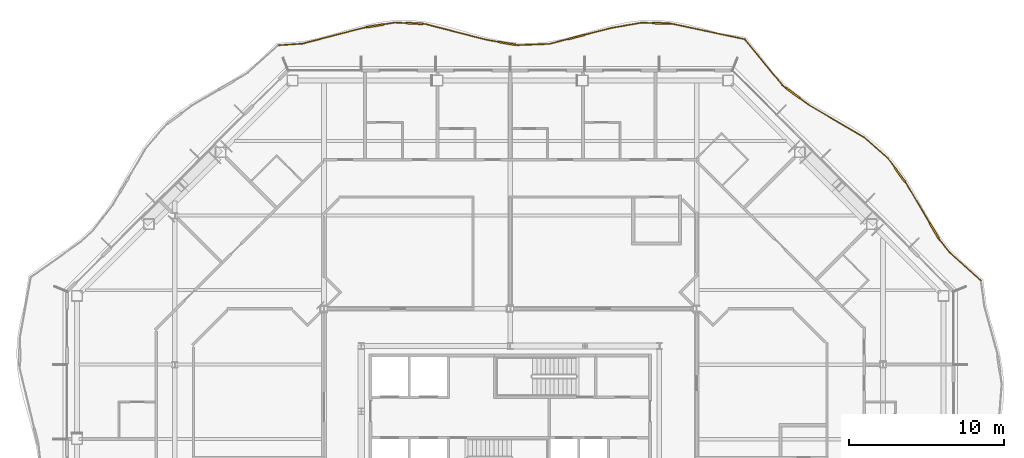
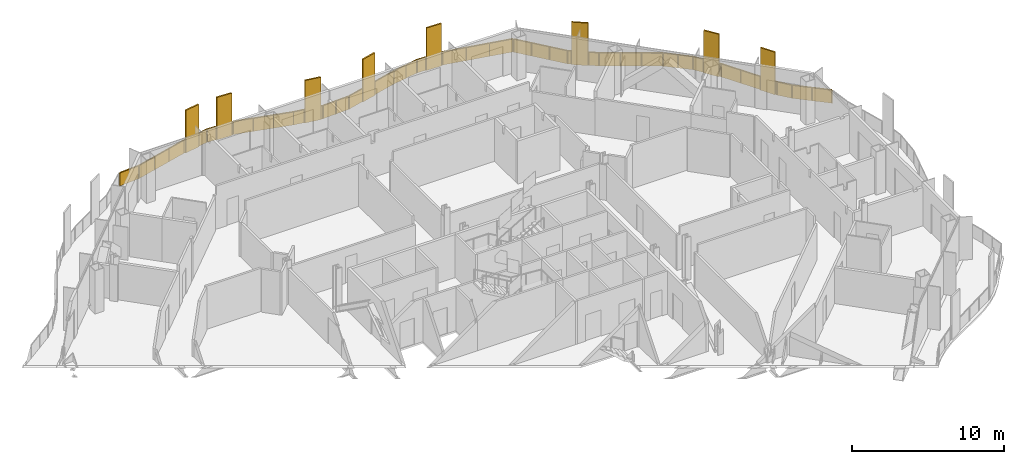
# One storey, part 21 of 21: 2 railings.
"""IFC4 building model written with IfcOpenShell, lengths in metres."""

from ifc_helpers import new_model, si_unit, direction, frame, origin, origin_2d, place, context, subcontext, project, spatial, polyline, rectangle, outline, extrude, material, type_object, element, save


model = new_model("IFC4")

# Units and contexts
model_context = context("Model", 3, precision=1e-05, world=origin(), true_north=direction((0.0, 1.0)))
body_context = subcontext(model_context, "Body", "Model", "MODEL_VIEW")
ifc_project = project(units=[si_unit("LENGTHUNIT", "METRE"), si_unit("AREAUNIT", "SQUARE_METRE"), si_unit("VOLUMEUNIT", "CUBIC_METRE"), si_unit("PLANEANGLEUNIT", "RADIAN"), si_unit("MASSUNIT", "GRAM", prefix="KILO")], contexts=[model_context])

# Site, building, storey
site_placement = place(None, origin())
site = spatial("IfcSite", under=ifc_project, at=site_placement, CompositionType="ELEMENT")
building_placement = place(site_placement, origin())
building = spatial("IfcBuilding", under=site, at=building_placement, Name="Cairn Pilgrim Tower", CompositionType="ELEMENT")
storey_placement = place(building_placement, frame((0.0, 0.0, 143.39990234375)))
storey = spatial("IfcBuildingStorey", under=building, at=storey_placement, Name="L35", CompositionType="ELEMENT", Elevation=143.39990234375)

# Railings
ifc_material = material(Name="Bronze anodised aluminium rail, posts and fin screens with laminated glass infill", Category="aluminium")
railing_type = type_object("IfcRailingType", Name="BALCONY GUARD WITH FIN SCREENS", PredefinedType="GUARDRAIL", material=ifc_material)
railing_1_placement = place(storey_placement, frame((37.5078125, 15.009033203125, 0.0)))
element("IfcRailing", 1, at=railing_1_placement, inside=storey, type_object=railing_type, Name="Balcony guard BGF-4 with fin screens", PredefinedType="GUARDRAIL", context=body_context, shape_type="SweptSolid", body=[
    extrude(rectangle(XDim=0.050048828125, YDim=0.050048828125, at=origin_2d()), frame((0.0, 0.0, 1.0751953125), z_axis=(-0.742573278127, 0.669764829333, 0.0), x_axis=(-0.669764829333, -0.742573278127, 0.0)), (0.0, 0.0, 1.0), 2.67919921875),
    extrude(rectangle(XDim=0.050048828125, YDim=0.050048828125, at=origin_2d()), frame((-1.989501953125, 1.79443359375, 1.0751953125), z_axis=(-0.631470426206, 0.775399961843, 0.0), x_axis=(-0.775399961843, -0.631470426206, 0.0)), (0.0, 0.0, 1.0), 1.046630859375),
    extrude(rectangle(XDim=1.10009765625, YDim=0.110107421875, at=origin_2d()), frame((-3.005859375, 3.208984375, 0.0), z_axis=(0.0, 0.0, 1.0), x_axis=(-0.507932070503, 0.861397127784, 0.0)), (0.0, 0.0, 1.0), 3.39990234375),
    extrude(rectangle(XDim=0.050048828125, YDim=0.050048828125, at=origin_2d()), frame((-2.650390625, 2.60595703125, 1.0751953125), z_axis=(-0.507932070503, 0.861397127784, 0.0), x_axis=(-0.861397127784, -0.507932070503, 0.0)), (0.0, 0.0, 1.0), 0.14990234375),
    extrude(rectangle(XDim=0.050048828125, YDim=0.050048828125, at=origin_2d()), frame((-3.285400390625, 3.6826171875, 1.0751953125), z_axis=(-0.507932070503, 0.861397127784, 0.0), x_axis=(-0.861397127784, -0.507932070503, 0.0)), (0.0, 0.0, 1.0), 2.96044921875),
    extrude(rectangle(XDim=1.10009765625, YDim=0.110107421875, at=origin_2d()), frame((-5.20068359375, 6.79931640625, 0.0), z_axis=(0.0, 0.0, 1.0), x_axis=(-0.587858294843, 0.808963920817, 0.0)), (0.0, 0.0, 1.0), 3.39990234375),
    extrude(rectangle(XDim=0.050048828125, YDim=0.050048828125, at=origin_2d()), frame((-4.7890625, 6.23291015625, 1.0751953125), z_axis=(-0.587858294843, 0.808963920817, 0.0), x_axis=(-0.808963920817, -0.587858294843, 0.0)), (0.0, 0.0, 1.0), 0.150146484375),
    extrude(rectangle(XDim=0.050048828125, YDim=0.050048828125, at=origin_2d()), frame((-5.52392578125, 7.244140625, 1.0751953125), z_axis=(-0.587858294843, 0.808963920817, 0.0), x_axis=(-0.808963920817, -0.587858294843, 0.0)), (0.0, 0.0, 1.0), 0.788330078125),
    extrude(rectangle(XDim=0.050048828125, YDim=0.050048828125, at=origin_2d()), frame((-5.9873046875, 7.8818359375, 1.0751953125), z_axis=(-0.748929293895, 0.662649917185, 0.0), x_axis=(-0.662649917185, -0.748929293895, 0.0)), (0.0, 0.0, 1.0), 2.009033203125),
    extrude(rectangle(XDim=0.050048828125, YDim=0.050048828125, at=origin_2d()), frame((-7.491943359375, 9.213134765625, 1.0751953125), z_axis=(-0.862706708707, 0.505704592378, 0.0), x_axis=(-0.505704592378, -0.862706708707, 0.0)), (0.0, 0.0, 1.0), 4.203125),
    extrude(rectangle(XDim=1.10009765625, YDim=0.110107421875, at=origin_2d()), frame((-12.1171875, 12.0859375, 0.0), z_axis=(0.0, 0.0, 1.0), x_axis=(-0.800870533458, 0.598837531087, 0.0)), (0.0, 0.0, 1.0), 3.39990234375),
    extrude(rectangle(XDim=0.050048828125, YDim=0.050048828125, at=origin_2d()), frame((-11.117919921875, 11.338623046875, 1.0751953125), z_axis=(-0.800870533458, 0.598837531087, 0.0), x_axis=(-0.598837531087, -0.800870533458, 0.0)), (0.0, 0.0, 1.0), 0.69775390625),
    extrude(rectangle(XDim=0.050048828125, YDim=0.050048828125, at=origin_2d()), frame((-12.5576171875, 12.415283203125, 1.0751953125), z_axis=(-0.800870533458, 0.598837531087, 0.0), x_axis=(-0.598837531087, -0.800870533458, 0.0)), (0.0, 0.0, 1.0), 0.286865234375),
    extrude(rectangle(XDim=0.050048828125, YDim=0.050048828125, at=origin_2d()), frame((-12.787353515625, 12.5869140625, 1.0751953125), z_axis=(-0.6329833694, 0.774165391931, 0.0), x_axis=(-0.774165391931, -0.6329833694, 0.0)), (0.0, 0.0, 1.0), 3.762939453125),
    extrude(rectangle(XDim=0.050048828125, YDim=0.050048828125, at=origin_2d()), origin(), (0.0, 0.0, 1.0), 1.050048828125),
    extrude(rectangle(XDim=0.050048828125, YDim=0.050048828125, at=origin_2d()), frame((-0.99462890625, 0.897216796875, 0.0)), (0.0, 0.0, 1.0), 1.050048828125),
    extrude(rectangle(XDim=0.050048828125, YDim=0.050048828125, at=origin_2d()), frame((-1.989501953125, 1.79443359375, 0.0)), (0.0, 0.0, 1.0), 1.050048828125),
    extrude(rectangle(XDim=0.050048828125, YDim=0.050048828125, at=origin_2d()), frame((-2.650390625, 2.60595703125, 0.0)), (0.0, 0.0, 1.0), 1.050048828125),
    extrude(rectangle(XDim=0.050048828125, YDim=0.050048828125, at=origin_2d()), frame((-2.7138671875, 2.713623046875, 0.0)), (0.0, 0.0, 1.0), 1.050048828125),
    extrude(rectangle(XDim=0.050048828125, YDim=0.050048828125, at=origin_2d()), frame((-3.298095703125, 3.704345703125, 0.0)), (0.0, 0.0, 1.0), 1.050048828125),
    extrude(rectangle(XDim=0.050048828125, YDim=0.050048828125, at=origin_2d()), frame((-4.04345703125, 4.968505859375, 0.0)), (0.0, 0.0, 1.0), 1.050048828125),
    extrude(rectangle(XDim=0.050048828125, YDim=0.050048828125, at=origin_2d()), frame((-4.7890625, 6.23291015625, 0.0)), (0.0, 0.0, 1.0), 1.050048828125),
    extrude(rectangle(XDim=0.050048828125, YDim=0.050048828125, at=origin_2d()), frame((-4.862548828125, 6.333984375, 0.0)), (0.0, 0.0, 1.0), 1.050048828125),
    extrude(rectangle(XDim=0.050048828125, YDim=0.050048828125, at=origin_2d()), frame((-5.53857421875, 7.264404296875, 0.0)), (0.0, 0.0, 1.0), 1.050048828125),
    extrude(rectangle(XDim=0.050048828125, YDim=0.050048828125, at=origin_2d()), frame((-5.9873046875, 7.8818359375, 0.0)), (0.0, 0.0, 1.0), 1.050048828125),
    extrude(rectangle(XDim=0.050048828125, YDim=0.050048828125, at=origin_2d()), frame((-6.73974609375, 8.54736328125, 0.0)), (0.0, 0.0, 1.0), 1.050048828125),
    extrude(rectangle(XDim=0.050048828125, YDim=0.050048828125, at=origin_2d()), frame((-7.491943359375, 9.213134765625, 0.0)), (0.0, 0.0, 1.0), 1.050048828125),
    extrude(rectangle(XDim=0.050048828125, YDim=0.050048828125, at=origin_2d()), frame((-8.70068359375, 9.921630859375, 0.0)), (0.0, 0.0, 1.0), 1.050048828125),
    extrude(rectangle(XDim=0.050048828125, YDim=0.050048828125, at=origin_2d()), frame((-9.9091796875, 10.630126953125, 0.0)), (0.0, 0.0, 1.0), 1.050048828125),
    extrude(rectangle(XDim=0.050048828125, YDim=0.050048828125, at=origin_2d()), frame((-11.117919921875, 11.338623046875, 0.0)), (0.0, 0.0, 1.0), 1.050048828125),
    extrude(rectangle(XDim=0.050048828125, YDim=0.050048828125, at=origin_2d()), frame((-11.65673828125, 11.741455078125, 0.0)), (0.0, 0.0, 1.0), 1.050048828125),
    extrude(rectangle(XDim=0.050048828125, YDim=0.050048828125, at=origin_2d()), frame((-12.57763671875, 12.43017578125, 0.0)), (0.0, 0.0, 1.0), 1.050048828125),
    extrude(rectangle(XDim=0.050048828125, YDim=0.050048828125, at=origin_2d()), frame((-12.787353515625, 12.5869140625, 0.0)), (0.0, 0.0, 1.0), 1.050048828125),
    extrude(rectangle(XDim=0.050048828125, YDim=0.050048828125, at=origin_2d()), frame((-13.581298828125, 13.557861328125, 0.0)), (0.0, 0.0, 1.0), 1.050048828125),
    extrude(rectangle(XDim=0.050048828125, YDim=0.050048828125, at=origin_2d()), frame((-14.375244140625, 14.529052734375, 0.0)), (0.0, 0.0, 1.0), 1.050048828125),
    extrude(rectangle(XDim=0.050048828125, YDim=0.050048828125, at=origin_2d()), frame((-15.169189453125, 15.5, 0.0)), (0.0, 0.0, 1.0), 1.050048828125),
    extrude(outline(polyline([(0.02490234375, 0.0), (1.314697265625, 0.0), (1.314697265625, 1.050048828125), (0.02490234375, 1.050048828125), (0.02490234375, 0.0)])), frame((-0.00390625, -0.00439453125, 0.0), z_axis=(0.669764829333, 0.742573278127, 0.0), x_axis=(-0.742573278127, 0.669764829333, 0.0)), (0.0, 0.0, 1.0), 0.011962890625),
    extrude(outline(polyline([(0.02490234375, 0.0), (1.314697265625, 0.0), (1.314697265625, 1.050048828125), (0.02490234375, 1.050048828125), (0.02490234375, 0.0)])), frame((-0.998779296875, 0.892822265625, 0.0), z_axis=(0.669764829333, 0.742573278127, 0.0), x_axis=(-0.742573278127, 0.669764829333, 0.0)), (0.0, 0.0, 1.0), 0.011962890625),
    extrude(outline(polyline([(0.02490234375, 0.0), (1.021484375, 0.0), (1.021484375, 1.050048828125), (0.02490234375, 1.050048828125), (0.02490234375, 0.0)])), frame((-1.994140625, 1.790771484375, 0.0), z_axis=(0.775399961843, 0.631470426206, 0.0), x_axis=(-0.631470426206, 0.775399961843, 0.0)), (0.0, 0.0, 1.0), 0.011962890625),
    extrude(outline(polyline([(0.02490234375, 0.0), (0.099853515625, 0.0), (0.099853515625, 1.050048828125), (0.02490234375, 1.050048828125), (0.02490234375, 0.0)])), frame((-2.655517578125, 2.60302734375, 0.0), z_axis=(0.861397127784, 0.507932070503, 0.0), x_axis=(-0.507932070503, 0.861397127784, 0.0)), (0.0, 0.0, 1.0), 0.011962890625),
    extrude(outline(polyline([(0.02490234375, 0.0), (1.442626953125, 0.0), (1.442626953125, 1.050048828125), (0.02490234375, 1.050048828125), (0.02490234375, 0.0)])), frame((-3.30322265625, 3.701171875, 0.0), z_axis=(0.861397127784, 0.507932070503, 0.0), x_axis=(-0.507932070503, 0.861397127784, 0.0)), (0.0, 0.0, 1.0), 0.011962890625),
    extrude(outline(polyline([(0.02490234375, 0.0), (1.442626953125, 0.0), (1.442626953125, 1.050048828125), (0.02490234375, 1.050048828125), (0.02490234375, 0.0)])), frame((-4.048583984375, 4.965576171875, 0.0), z_axis=(0.861397127784, 0.507932070503, 0.0), x_axis=(-0.507932070503, 0.861397127784, 0.0)), (0.0, 0.0, 1.0), 0.011962890625),
    extrude(outline(polyline([(0.02490234375, 0.0), (0.10009765625, 0.0), (0.10009765625, 1.050048828125), (0.02490234375, 1.050048828125), (0.02490234375, 0.0)])), frame((-4.7939453125, 6.2294921875, 0.0), z_axis=(0.808963920817, 0.587858294843, 0.0), x_axis=(-0.587858294843, 0.808963920817, 0.0)), (0.0, 0.0, 1.0), 0.011962890625),
    extrude(outline(polyline([(0.02490234375, 0.0), (0.73828125, 0.0), (0.73828125, 1.050048828125), (0.02490234375, 1.050048828125), (0.02490234375, 0.0)])), frame((-5.54345703125, 7.260986328125, 0.0), z_axis=(0.808963920817, 0.587858294843, 0.0), x_axis=(-0.587858294843, 0.808963920817, 0.0)), (0.0, 0.0, 1.0), 0.011962890625),
    extrude(outline(polyline([(0.02490234375, 0.0), (0.9794921875, 0.0), (0.9794921875, 1.050048828125), (0.02490234375, 1.050048828125), (0.02490234375, 0.0)])), frame((-5.9912109375, 7.87744140625, 0.0), z_axis=(0.662649917185, 0.748929293895, 0.0), x_axis=(-0.748929293895, 0.662649917185, 0.0)), (0.0, 0.0, 1.0), 0.011962890625),
    extrude(outline(polyline([(0.02490234375, 0.0), (0.9794921875, 0.0), (0.9794921875, 1.050048828125), (0.02490234375, 1.050048828125), (0.02490234375, 0.0)])), frame((-6.74365234375, 8.54296875, 0.0), z_axis=(0.662649917185, 0.748929293895, 0.0), x_axis=(-0.748929293895, 0.662649917185, 0.0)), (0.0, 0.0, 1.0), 0.011962890625),
    extrude(outline(polyline([(0.02490234375, 0.0), (1.3759765625, 0.0), (1.3759765625, 1.050048828125), (0.02490234375, 1.050048828125), (0.02490234375, 0.0)])), frame((-7.494873046875, 9.2080078125, 0.0), z_axis=(0.505704592378, 0.862706708707, 0.0), x_axis=(-0.862706708707, 0.505704592378, 0.0)), (0.0, 0.0, 1.0), 0.011962890625),
    extrude(outline(polyline([(0.02490234375, 0.0), (1.3759765625, 0.0), (1.3759765625, 1.050048828125), (0.02490234375, 1.050048828125), (0.02490234375, 0.0)])), frame((-8.70361328125, 9.91650390625, 0.0), z_axis=(0.505704592378, 0.862706708707, 0.0), x_axis=(-0.862706708707, 0.505704592378, 0.0)), (0.0, 0.0, 1.0), 0.011962890625),
    extrude(outline(polyline([(0.02490234375, 0.0), (1.3759765625, 0.0), (1.3759765625, 1.050048828125), (0.02490234375, 1.050048828125), (0.02490234375, 0.0)])), frame((-9.912353515625, 10.625, 0.0), z_axis=(0.505704592378, 0.862706708707, 0.0), x_axis=(-0.862706708707, 0.505704592378, 0.0)), (0.0, 0.0, 1.0), 0.011962890625),
    extrude(outline(polyline([(0.02490234375, 0.0), (0.647705078125, 0.0), (0.647705078125, 1.050048828125), (0.02490234375, 1.050048828125), (0.02490234375, 0.0)])), frame((-11.12158203125, 11.333740234375, 0.0), z_axis=(0.598837531087, 0.800870533458, 0.0), x_axis=(-0.800870533458, 0.598837531087, 0.0)), (0.0, 0.0, 1.0), 0.011962890625),
    extrude(outline(polyline([(0.02490234375, 0.0), (0.23681640625, 0.0), (0.23681640625, 1.050048828125), (0.02490234375, 1.050048828125), (0.02490234375, 0.0)])), frame((-12.581298828125, 12.42529296875, 0.0), z_axis=(0.598837531087, 0.800870533458, 0.0), x_axis=(-0.800870533458, 0.598837531087, 0.0)), (0.0, 0.0, 1.0), 0.011962890625),
    extrude(outline(polyline([(0.02490234375, 0.0), (1.229248046875, 0.0), (1.229248046875, 1.050048828125), (0.02490234375, 1.050048828125), (0.02490234375, 0.0)])), frame((-12.7919921875, 12.5830078125, 0.0), z_axis=(0.774165391931, 0.6329833694, 0.0), x_axis=(-0.6329833694, 0.774165391931, 0.0)), (0.0, 0.0, 1.0), 0.011962890625),
    extrude(outline(polyline([(0.02490234375, 0.0), (1.229248046875, 0.0), (1.229248046875, 1.050048828125), (0.02490234375, 1.050048828125), (0.02490234375, 0.0)])), frame((-13.5859375, 13.55419921875, 0.0), z_axis=(0.774165391931, 0.6329833694, 0.0), x_axis=(-0.6329833694, 0.774165391931, 0.0)), (0.0, 0.0, 1.0), 0.011962890625),
    extrude(outline(polyline([(0.02490234375, 0.0), (1.229248046875, 0.0), (1.229248046875, 1.050048828125), (0.02490234375, 1.050048828125), (0.02490234375, 0.0)])), frame((-14.3798828125, 14.525146484375, 0.0), z_axis=(0.774165391931, 0.6329833694, 0.0), x_axis=(-0.6329833694, 0.774165391931, 0.0)), (0.0, 0.0, 1.0), 0.011962890625),
])
railing_2_placement = place(storey_placement, frame((22.300537109375, 30.555419921875, 0.0)))
element("IfcRailing", 2, at=railing_2_placement, inside=storey, type_object=railing_type, Name="Balcony guard BGF-5 with fin screens", PredefinedType="GUARDRAIL", context=body_context, shape_type="SweptSolid", body=[
    extrude(rectangle(XDim=0.050048828125, YDim=0.050048828125, at=origin_2d()), frame((0.0, 0.0, 1.0751953125), z_axis=(-0.978038647043, 0.208423618841, 0.0), x_axis=(-0.208423618841, -0.978038647043, 0.0)), (0.0, 0.0, 1.0), 4.796630859375),
    extrude(rectangle(XDim=1.10009765625, YDim=0.110107421875, at=origin_2d()), frame((-5.396484375, 1.02392578125, 0.0), z_axis=(0.0, 0.0, 1.0), x_axis=(-0.99941220136, 0.034281945288, 0.0)), (0.0, 0.0, 1.0), 3.39990234375),
    extrude(rectangle(XDim=0.050048828125, YDim=0.050048828125, at=origin_2d()), frame((-4.69140625, 0.999755859375, 1.0751953125), z_axis=(-0.99941220136, 0.034281945288, 0.0), x_axis=(-0.034281945288, -0.99941220136, 0.0)), (0.0, 0.0, 1.0), 0.155517578125),
    extrude(rectangle(XDim=0.050048828125, YDim=0.050048828125, at=origin_2d()), frame((-5.9462890625, 1.042724609375, 1.0751953125), z_axis=(-0.99941220136, 0.034281945288, 0.0), x_axis=(-0.034281945288, -0.99941220136, 0.0)), (0.0, 0.0, 1.0), 0.702880859375),
    extrude(rectangle(XDim=0.050048828125, YDim=0.050048828125, at=origin_2d()), frame((-6.648681640625, 1.06689453125, 1.0751953125), z_axis=(-0.984854919199, -0.173380472171, 0.0), x_axis=(0.173380472171, -0.984854919199, 0.0)), (0.0, 0.0, 1.0), 1.995361328125),
    extrude(rectangle(XDim=1.10009765625, YDim=0.110107421875, at=origin_2d()), frame((-10.852783203125, 0.146240234375, 0.0), z_axis=(0.0, 0.0, 1.0), x_axis=(-0.968596791298, -0.248636795118, 0.0)), (0.0, 0.0, 1.0), 3.39990234375),
    extrude(rectangle(XDim=0.050048828125, YDim=0.050048828125, at=origin_2d()), frame((-8.61376953125, 0.720947265625, 1.0751953125), z_axis=(-0.968596791298, -0.248636795118, 0.0), x_axis=(0.248636795118, -0.968596791298, 0.0)), (0.0, 0.0, 1.0), 1.76171875),
    extrude(rectangle(XDim=0.050048828125, YDim=0.050048828125, at=origin_2d()), frame((-11.385498046875, 0.009521484375, 1.0751953125), z_axis=(-0.968596791298, -0.248636795118, 0.0), x_axis=(0.248636795118, -0.968596791298, 0.0)), (0.0, 0.0, 1.0), 1.249755859375),
    extrude(rectangle(XDim=0.050048828125, YDim=0.050048828125, at=origin_2d()), frame((-12.595947265625, -0.30126953125, 1.0751953125), z_axis=(-0.999184459202, -0.040378416137, 0.0), x_axis=(0.040378416137, -0.999184459202, 0.0)), (0.0, 0.0, 1.0), 2.01953125),
    extrude(rectangle(XDim=1.10009765625, YDim=0.110107421875, at=origin_2d()), frame((-15.3037109375, -0.264892578125, 0.0), z_axis=(0.0, 0.0, 1.0), x_axis=(-0.985678657546, 0.16863446877, 0.0)), (0.0, 0.0, 1.0), 3.39990234375),
    extrude(rectangle(XDim=0.050048828125, YDim=0.050048828125, at=origin_2d()), frame((-14.61376953125, -0.3828125, 1.0751953125), z_axis=(-0.985678657546, 0.16863446877, 0.0), x_axis=(-0.16863446877, -0.985678657546, 0.0)), (0.0, 0.0, 1.0), 0.14990234375),
    extrude(rectangle(XDim=0.050048828125, YDim=0.050048828125, at=origin_2d()), frame((-15.845947265625, -0.172119140625, 1.0751953125), z_axis=(-0.985678657546, 0.16863446877, 0.0), x_axis=(-0.16863446877, -0.985678657546, 0.0)), (0.0, 0.0, 1.0), 0.787109375),
    extrude(rectangle(XDim=0.050048828125, YDim=0.050048828125, at=origin_2d()), frame((-16.62158203125, -0.039306640625, 1.0751953125), z_axis=(-0.968268943839, 0.24991048877, 0.0), x_axis=(-0.24991048877, -0.968268943839, 0.0)), (0.0, 0.0, 1.0), 4.09326171875),
    extrude(rectangle(XDim=1.10009765625, YDim=0.110107421875, at=origin_2d()), frame((-21.284423828125, 1.01611328125, 0.0), z_axis=(0.0, 0.0, 1.0), x_axis=(-0.998916987241, 0.046527976554, 0.0)), (0.0, 0.0, 1.0), 3.39990234375),
    extrude(rectangle(XDim=0.050048828125, YDim=0.050048828125, at=origin_2d()), frame((-20.5849609375, 0.983642578125, 1.0751953125), z_axis=(-0.998916987241, 0.046527976554, 0.0), x_axis=(-0.046527976554, -0.998916987241, 0.0)), (0.0, 0.0, 1.0), 0.150146484375),
    extrude(rectangle(XDim=0.050048828125, YDim=0.050048828125, at=origin_2d()), frame((-21.833740234375, 1.041748046875, 1.0751953125), z_axis=(-0.998916987241, 0.046527976554, 0.0), x_axis=(-0.046527976554, -0.998916987241, 0.0)), (0.0, 0.0, 1.0), 0.70703125),
    extrude(rectangle(XDim=1.10009765625, YDim=0.110107421875, at=origin_2d()), frame((-23.813232421875, 0.86328125, 0.0), z_axis=(0.0, 0.0, 1.0), x_axis=(-0.986486572526, -0.163842125919, 0.0)), (0.0, 0.0, 1.0), 3.39990234375),
    extrude(rectangle(XDim=0.050048828125, YDim=0.050048828125, at=origin_2d()), frame((-22.5400390625, 1.07470703125, 1.0751953125), z_axis=(-0.986486572526, -0.163842125919, 0.0), x_axis=(0.163842125919, -0.986486572526, 0.0)), (0.0, 0.0, 1.0), 0.74072265625),
    extrude(rectangle(XDim=0.050048828125, YDim=0.050048828125, at=origin_2d()), frame((-24.35595703125, 0.773193359375, 1.0751953125), z_axis=(-0.986486572526, -0.163842125919, 0.0), x_axis=(0.163842125919, -0.986486572526, 0.0)), (0.0, 0.0, 1.0), 0.150146484375),
    extrude(rectangle(XDim=0.050048828125, YDim=0.050048828125, at=origin_2d()), frame((-24.50390625, 0.74853515625, 1.0751953125), z_axis=(-0.967966970059, -0.251077567448, 0.0), x_axis=(0.251077567448, -0.967966970059, 0.0)), (0.0, 0.0, 1.0), 4.111083984375),
    extrude(rectangle(XDim=0.050048828125, YDim=0.050048828125, at=origin_2d()), frame((-28.4833984375, -0.28369140625, 1.0751953125), z_axis=(-0.99780141963, -0.066274633038, 0.0), x_axis=(0.066274633038, -0.99780141963, 0.0)), (0.0, 0.0, 1.0), 1.525146484375),
    extrude(rectangle(XDim=0.050048828125, YDim=0.050048828125, at=origin_2d()), origin(), (0.0, 0.0, 1.0), 1.050048828125),
    extrude(rectangle(XDim=0.050048828125, YDim=0.050048828125, at=origin_2d()), frame((-1.563720703125, 0.333251953125, 0.0)), (0.0, 0.0, 1.0), 1.050048828125),
    extrude(rectangle(XDim=0.050048828125, YDim=0.050048828125, at=origin_2d()), frame((-3.127685546875, 0.66650390625, 0.0)), (0.0, 0.0, 1.0), 1.050048828125),
    extrude(rectangle(XDim=0.050048828125, YDim=0.050048828125, at=origin_2d()), frame((-4.69140625, 0.999755859375, 0.0)), (0.0, 0.0, 1.0), 1.050048828125),
    extrude(rectangle(XDim=0.050048828125, YDim=0.050048828125, at=origin_2d()), frame((-4.82177734375, 1.004150390625, 0.0)), (0.0, 0.0, 1.0), 1.050048828125),
    extrude(rectangle(XDim=0.050048828125, YDim=0.050048828125, at=origin_2d()), frame((-5.97119140625, 1.043701171875, 0.0)), (0.0, 0.0, 1.0), 1.050048828125),
    extrude(rectangle(XDim=0.050048828125, YDim=0.050048828125, at=origin_2d()), frame((-6.648681640625, 1.06689453125, 0.0)), (0.0, 0.0, 1.0), 1.050048828125),
    extrude(rectangle(XDim=0.050048828125, YDim=0.050048828125, at=origin_2d()), frame((-7.63134765625, 0.89404296875, 0.0)), (0.0, 0.0, 1.0), 1.050048828125),
    extrude(rectangle(XDim=0.050048828125, YDim=0.050048828125, at=origin_2d()), frame((-8.61376953125, 0.720947265625, 0.0)), (0.0, 0.0, 1.0), 1.050048828125),
    extrude(rectangle(XDim=0.050048828125, YDim=0.050048828125, at=origin_2d()), frame((-10.2958984375, 0.2890625, 0.0)), (0.0, 0.0, 1.0), 1.050048828125),
    extrude(rectangle(XDim=0.050048828125, YDim=0.050048828125, at=origin_2d()), frame((-11.40966796875, 0.003173828125, 0.0)), (0.0, 0.0, 1.0), 1.050048828125),
    extrude(rectangle(XDim=0.050048828125, YDim=0.050048828125, at=origin_2d()), frame((-12.595947265625, -0.30126953125, 0.0)), (0.0, 0.0, 1.0), 1.050048828125),
    extrude(rectangle(XDim=0.050048828125, YDim=0.050048828125, at=origin_2d()), frame((-13.60498046875, -0.342041015625, 0.0)), (0.0, 0.0, 1.0), 1.050048828125),
    extrude(rectangle(XDim=0.050048828125, YDim=0.050048828125, at=origin_2d()), frame((-14.61376953125, -0.3828125, 0.0)), (0.0, 0.0, 1.0), 1.050048828125),
    extrude(rectangle(XDim=0.050048828125, YDim=0.050048828125, at=origin_2d()), frame((-14.73681640625, -0.36181640625, 0.0)), (0.0, 0.0, 1.0), 1.050048828125),
    extrude(rectangle(XDim=0.050048828125, YDim=0.050048828125, at=origin_2d()), frame((-15.87060546875, -0.167724609375, 0.0)), (0.0, 0.0, 1.0), 1.050048828125),
    extrude(rectangle(XDim=0.050048828125, YDim=0.050048828125, at=origin_2d()), frame((-16.62158203125, -0.039306640625, 0.0)), (0.0, 0.0, 1.0), 1.050048828125),
    extrude(rectangle(XDim=0.050048828125, YDim=0.050048828125, at=origin_2d()), frame((-17.942626953125, 0.3017578125, 0.0)), (0.0, 0.0, 1.0), 1.050048828125),
    extrude(rectangle(XDim=0.050048828125, YDim=0.050048828125, at=origin_2d()), frame((-19.263916015625, 0.642578125, 0.0)), (0.0, 0.0, 1.0), 1.050048828125),
    extrude(rectangle(XDim=0.050048828125, YDim=0.050048828125, at=origin_2d()), frame((-20.5849609375, 0.983642578125, 0.0)), (0.0, 0.0, 1.0), 1.050048828125),
    extrude(rectangle(XDim=0.050048828125, YDim=0.050048828125, at=origin_2d()), frame((-20.7099609375, 0.989501953125, 0.0)), (0.0, 0.0, 1.0), 1.050048828125),
    extrude(rectangle(XDim=0.050048828125, YDim=0.050048828125, at=origin_2d()), frame((-21.858642578125, 1.04296875, 0.0)), (0.0, 0.0, 1.0), 1.050048828125),
    extrude(rectangle(XDim=0.050048828125, YDim=0.050048828125, at=origin_2d()), frame((-22.5400390625, 1.07470703125, 0.0)), (0.0, 0.0, 1.0), 1.050048828125),
    extrude(rectangle(XDim=0.050048828125, YDim=0.050048828125, at=origin_2d()), frame((-23.24609375, 0.95751953125, 0.0)), (0.0, 0.0, 1.0), 1.050048828125),
    extrude(rectangle(XDim=0.050048828125, YDim=0.050048828125, at=origin_2d()), frame((-24.380615234375, 0.76904296875, 0.0)), (0.0, 0.0, 1.0), 1.050048828125),
    extrude(rectangle(XDim=0.050048828125, YDim=0.050048828125, at=origin_2d()), frame((-24.50390625, 0.74853515625, 0.0)), (0.0, 0.0, 1.0), 1.050048828125),
    extrude(rectangle(XDim=0.050048828125, YDim=0.050048828125, at=origin_2d()), frame((-25.830322265625, 0.404541015625, 0.0)), (0.0, 0.0, 1.0), 1.050048828125),
    extrude(rectangle(XDim=0.050048828125, YDim=0.050048828125, at=origin_2d()), frame((-27.156982421875, 0.060302734375, 0.0)), (0.0, 0.0, 1.0), 1.050048828125),
    extrude(rectangle(XDim=0.050048828125, YDim=0.050048828125, at=origin_2d()), frame((-28.4833984375, -0.28369140625, 0.0)), (0.0, 0.0, 1.0), 1.050048828125),
    extrude(rectangle(XDim=0.050048828125, YDim=0.050048828125, at=origin_2d()), frame((-30.005126953125, -0.384765625, 0.0)), (0.0, 0.0, 1.0), 1.050048828125),
    extrude(outline(polyline([(0.02490234375, 0.0), (1.573974609375, 0.0), (1.573974609375, 1.050048828125), (0.02490234375, 1.050048828125), (0.02490234375, 0.0)])), frame((-0.001220703125, -0.005859375, 0.0), z_axis=(0.208423618841, 0.978038647043, 0.0), x_axis=(-0.978038647043, 0.208423618841, 0.0)), (0.0, 0.0, 1.0), 0.011962890625),
    extrude(outline(polyline([(0.02490234375, 0.0), (1.573974609375, 0.0), (1.573974609375, 1.050048828125), (0.02490234375, 1.050048828125), (0.02490234375, 0.0)])), frame((-1.56494140625, 0.327392578125, 0.0), z_axis=(0.208423618841, 0.978038647043, 0.0), x_axis=(-0.978038647043, 0.208423618841, 0.0)), (0.0, 0.0, 1.0), 0.011962890625),
    extrude(outline(polyline([(0.02490234375, 0.0), (1.573974609375, 0.0), (1.573974609375, 1.050048828125), (0.02490234375, 1.050048828125), (0.02490234375, 0.0)])), frame((-3.12890625, 0.66064453125, 0.0), z_axis=(0.208423618841, 0.978038647043, 0.0), x_axis=(-0.978038647043, 0.208423618841, 0.0)), (0.0, 0.0, 1.0), 0.011962890625),
    extrude(outline(polyline([(0.02490234375, 0.0), (0.10546875, 0.0), (0.10546875, 1.050048828125), (0.02490234375, 1.050048828125), (0.02490234375, 0.0)])), frame((-4.691650390625, 0.993896484375, 0.0), z_axis=(0.034281945288, 0.99941220136, 0.0), x_axis=(-0.99941220136, 0.034281945288, 0.0)), (0.0, 0.0, 1.0), 0.011962890625),
    extrude(outline(polyline([(0.02490234375, 0.0), (0.65283203125, 0.0), (0.65283203125, 1.050048828125), (0.02490234375, 1.050048828125), (0.02490234375, 0.0)])), frame((-5.971435546875, 1.03759765625, 0.0), z_axis=(0.034281945288, 0.99941220136, 0.0), x_axis=(-0.99941220136, 0.034281945288, 0.0)), (0.0, 0.0, 1.0), 0.011962890625),
    extrude(outline(polyline([(0.02490234375, 0.0), (0.97265625, 0.0), (0.97265625, 1.050048828125), (0.02490234375, 1.050048828125), (0.02490234375, 0.0)])), frame((-6.647705078125, 1.06103515625, 0.0), z_axis=(-0.173380472171, 0.984854919199, 0.0), x_axis=(-0.984854919199, -0.173380472171, 0.0)), (0.0, 0.0, 1.0), 0.011962890625),
    extrude(outline(polyline([(0.02490234375, 0.0), (0.97265625, 0.0), (0.97265625, 1.050048828125), (0.02490234375, 1.050048828125), (0.02490234375, 0.0)])), frame((-7.630126953125, 0.887939453125, 0.0), z_axis=(-0.173380472171, 0.984854919199, 0.0), x_axis=(-0.984854919199, -0.173380472171, 0.0)), (0.0, 0.0, 1.0), 0.011962890625),
    extrude(outline(polyline([(0.02490234375, 0.0), (1.711669921875, 0.0), (1.711669921875, 1.050048828125), (0.02490234375, 1.050048828125), (0.02490234375, 0.0)])), frame((-8.6123046875, 0.715087890625, 0.0), z_axis=(-0.248636795118, 0.968596791298, 0.0), x_axis=(-0.968596791298, -0.248636795118, 0.0)), (0.0, 0.0, 1.0), 0.011962890625),
    extrude(outline(polyline([(0.02490234375, 0.0), (1.19970703125, 0.0), (1.19970703125, 1.050048828125), (0.02490234375, 1.050048828125), (0.02490234375, 0.0)])), frame((-11.408203125, -0.002685546875, 0.0), z_axis=(-0.248636795118, 0.968596791298, 0.0), x_axis=(-0.968596791298, -0.248636795118, 0.0)), (0.0, 0.0, 1.0), 0.011962890625),
    extrude(outline(polyline([(0.02490234375, 0.0), (0.984619140625, 0.0), (0.984619140625, 1.050048828125), (0.02490234375, 1.050048828125), (0.02490234375, 0.0)])), frame((-12.595703125, -0.30712890625, 0.0), z_axis=(-0.040378416137, 0.999184459202, 0.0), x_axis=(-0.999184459202, -0.040378416137, 0.0)), (0.0, 0.0, 1.0), 0.011962890625),
    extrude(outline(polyline([(0.02490234375, 0.0), (0.984619140625, 0.0), (0.984619140625, 1.050048828125), (0.02490234375, 1.050048828125), (0.02490234375, 0.0)])), frame((-13.604736328125, -0.347900390625, 0.0), z_axis=(-0.040378416137, 0.999184459202, 0.0), x_axis=(-0.999184459202, -0.040378416137, 0.0)), (0.0, 0.0, 1.0), 0.011962890625),
    extrude(outline(polyline([(0.02490234375, 0.0), (0.099853515625, 0.0), (0.099853515625, 1.050048828125), (0.02490234375, 1.050048828125), (0.02490234375, 0.0)])), frame((-14.61474609375, -0.388671875, 0.0), z_axis=(0.16863446877, 0.985678657546, 0.0), x_axis=(-0.985678657546, 0.16863446877, 0.0)), (0.0, 0.0, 1.0), 0.011962890625),
    extrude(outline(polyline([(0.02490234375, 0.0), (0.737060546875, 0.0), (0.737060546875, 1.050048828125), (0.02490234375, 1.050048828125), (0.02490234375, 0.0)])), frame((-15.87158203125, -0.173583984375, 0.0), z_axis=(0.16863446877, 0.985678657546, 0.0), x_axis=(-0.985678657546, 0.16863446877, 0.0)), (0.0, 0.0, 1.0), 0.011962890625),
    extrude(outline(polyline([(0.02490234375, 0.0), (1.33935546875, 0.0), (1.33935546875, 1.050048828125), (0.02490234375, 1.050048828125), (0.02490234375, 0.0)])), frame((-16.623046875, -0.045166015625, 0.0), z_axis=(0.24991048877, 0.968268943839, 0.0), x_axis=(-0.968268943839, 0.24991048877, 0.0)), (0.0, 0.0, 1.0), 0.011962890625),
    extrude(outline(polyline([(0.02490234375, 0.0), (1.33935546875, 0.0), (1.33935546875, 1.050048828125), (0.02490234375, 1.050048828125), (0.02490234375, 0.0)])), frame((-17.944091796875, 0.2958984375, 0.0), z_axis=(0.24991048877, 0.968268943839, 0.0), x_axis=(-0.968268943839, 0.24991048877, 0.0)), (0.0, 0.0, 1.0), 0.011962890625),
    extrude(outline(polyline([(0.02490234375, 0.0), (1.33935546875, 0.0), (1.33935546875, 1.050048828125), (0.02490234375, 1.050048828125), (0.02490234375, 0.0)])), frame((-19.265380859375, 0.636962890625, 0.0), z_axis=(0.24991048877, 0.968268943839, 0.0), x_axis=(-0.968268943839, 0.24991048877, 0.0)), (0.0, 0.0, 1.0), 0.011962890625),
    extrude(outline(polyline([(0.02490234375, 0.0), (0.10009765625, 0.0), (0.10009765625, 1.050048828125), (0.02490234375, 1.050048828125), (0.02490234375, 0.0)])), frame((-20.585205078125, 0.977783203125, 0.0), z_axis=(0.046527976554, 0.998916987241, 0.0), x_axis=(-0.998916987241, 0.046527976554, 0.0)), (0.0, 0.0, 1.0), 0.011962890625),
    extrude(outline(polyline([(0.02490234375, 0.0), (0.656982421875, 0.0), (0.656982421875, 1.050048828125), (0.02490234375, 1.050048828125), (0.02490234375, 0.0)])), frame((-21.85888671875, 1.037109375, 0.0), z_axis=(0.046527976554, 0.998916987241, 0.0), x_axis=(-0.998916987241, 0.046527976554, 0.0)), (0.0, 0.0, 1.0), 0.011962890625),
    extrude(outline(polyline([(0.02490234375, 0.0), (0.690673828125, 0.0), (0.690673828125, 1.050048828125), (0.02490234375, 1.050048828125), (0.02490234375, 0.0)])), frame((-22.5390625, 1.06884765625, 0.0), z_axis=(-0.163842125919, 0.986486572526, 0.0), x_axis=(-0.986486572526, -0.163842125919, 0.0)), (0.0, 0.0, 1.0), 0.011962890625),
    extrude(outline(polyline([(0.02490234375, 0.0), (0.10009765625, 0.0), (0.10009765625, 1.050048828125), (0.02490234375, 1.050048828125), (0.02490234375, 0.0)])), frame((-24.379638671875, 0.76318359375, 0.0), z_axis=(-0.163842125919, 0.986486572526, 0.0), x_axis=(-0.986486572526, -0.163842125919, 0.0)), (0.0, 0.0, 1.0), 0.011962890625),
    extrude(outline(polyline([(0.02490234375, 0.0), (1.345458984375, 0.0), (1.345458984375, 1.050048828125), (0.02490234375, 1.050048828125), (0.02490234375, 0.0)])), frame((-24.50244140625, 0.74267578125, 0.0), z_axis=(-0.251077567448, 0.967966970059, 0.0), x_axis=(-0.967966970059, -0.251077567448, 0.0)), (0.0, 0.0, 1.0), 0.011962890625),
    extrude(outline(polyline([(0.02490234375, 0.0), (1.345458984375, 0.0), (1.345458984375, 1.050048828125), (0.02490234375, 1.050048828125), (0.02490234375, 0.0)])), frame((-25.828857421875, 0.398681640625, 0.0), z_axis=(-0.251077567448, 0.967966970059, 0.0), x_axis=(-0.967966970059, -0.251077567448, 0.0)), (0.0, 0.0, 1.0), 0.011962890625),
    extrude(outline(polyline([(0.02490234375, 0.0), (1.345458984375, 0.0), (1.345458984375, 1.050048828125), (0.02490234375, 1.050048828125), (0.02490234375, 0.0)])), frame((-27.155517578125, 0.0546875, 0.0), z_axis=(-0.251077567448, 0.967966970059, 0.0), x_axis=(-0.967966970059, -0.251077567448, 0.0)), (0.0, 0.0, 1.0), 0.011962890625),
    extrude(outline(polyline([(0.02490234375, 0.0), (1.5, 0.0), (1.5, 1.050048828125), (0.02490234375, 1.050048828125), (0.02490234375, 0.0)])), frame((-28.48291015625, -0.28955078125, 0.0), z_axis=(-0.066274633038, 0.99780141963, 0.0), x_axis=(-0.99780141963, -0.066274633038, 0.0)), (0.0, 0.0, 1.0), 0.011962890625),
])

save(model, "model.ifc")
